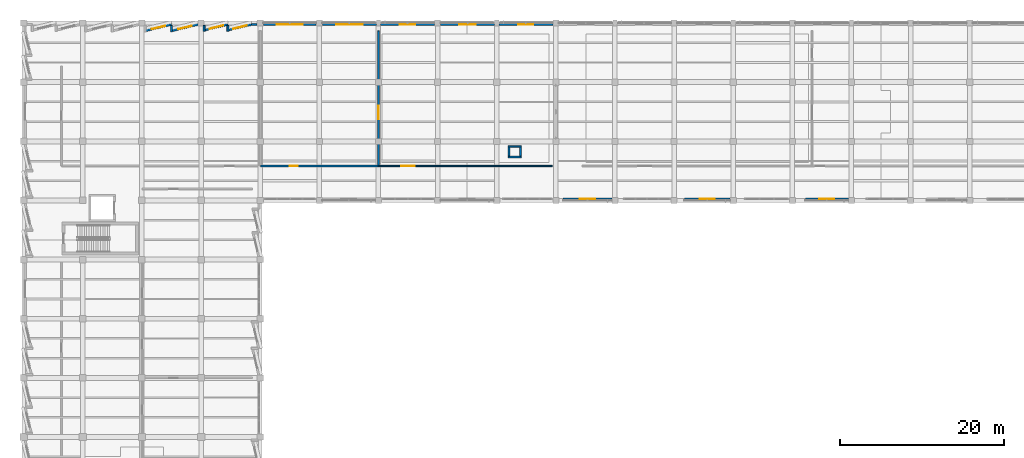
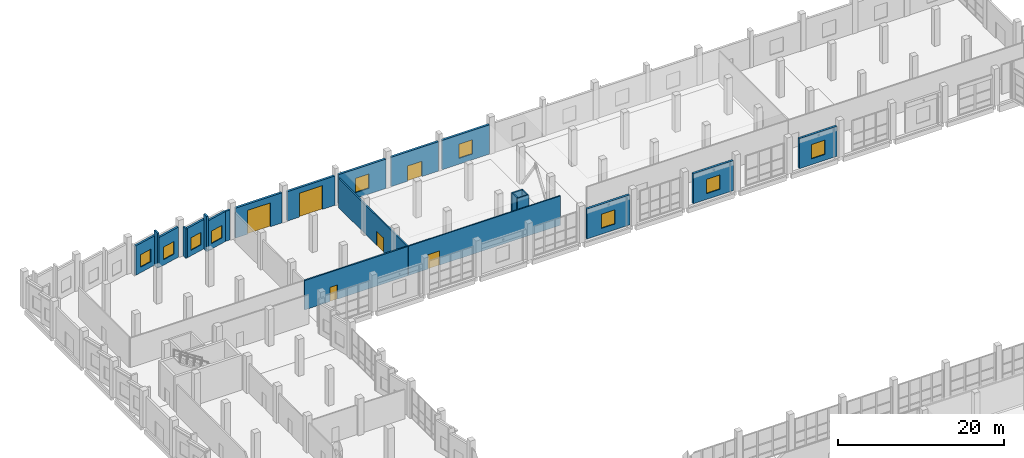
# One storey, part 109 of 137: 23 walls, 9 windows, 6 doors, 15 openings.
"""IFC4 building model written with IfcOpenShell, lengths in metres."""

import ifcopenshell
import ifcopenshell.guid

model = None  # the IFC model being written
_history = None  # IfcOwnerHistory: only IFC2X3 demands one
_inside = {}  # id of a spatial element -> (the spatial element, [elements in it])
_under = {}  # id of a project, library or spatial element -> (it, [spatial elements below it])
_declared = {}  # id of a project -> (the project, [libraries it declares])
_typed = {}  # id of a type object -> (the type object, [elements of that type])
_made_of = {}  # id of a material, layer set ... -> (it, [elements and type objects made of it])


def new_model(schema):
    """Start an empty IFC model of exactly this schema.

    Asked for "IFC4X3", IfcOpenShell would pick the latest addendum, in which some entities
    have other attributes; the version numbers below select the first issue.
    IFC2X3 requires an IfcOwnerHistory on every rooted entity: one is made here for all.
    """
    global model, _history
    if schema == "IFC4X3":
        model = ifcopenshell.file(schema_version=(4, 3, 0, 0))
    else:
        model = ifcopenshell.file(schema=schema)
    _inside.clear()
    _under.clear()
    _declared.clear()
    _typed.clear()
    _made_of.clear()
    _history = None
    if model.schema == "IFC2X3":
        org = make("IfcOrganization", Name="unknown")
        user = make(
            "IfcPersonAndOrganization",
            ThePerson=make("IfcPerson", FamilyName="unknown"),
            TheOrganization=org,
        )
        app = make(
            "IfcApplication",
            ApplicationDeveloper=org,
            Version="unknown",
            ApplicationFullName="unknown",
            ApplicationIdentifier="unknown",
        )
        _history = make(
            "IfcOwnerHistory",
            OwningUser=user,
            OwningApplication=app,
            ChangeAction="ADDED",
            CreationDate=0,
        )
    return model


def make(cls, **values):
    """One entity of the class cls with the attributes given. An attribute that is None is left unset."""
    return model.create_entity(
        cls, **{name: value for name, value in values.items() if value is not None}
    )


def rooted(cls, **values):
    """An entity with a GlobalId (a new one), such as an element, a storey or a relation."""
    return make(cls, GlobalId=ifcopenshell.guid.new(), OwnerHistory=_history, **values)


def si_unit(unit_type, name, prefix=None):
    """IfcSIUnit, for example si_unit("LENGTHUNIT", "METRE", prefix="MILLI")."""
    return make("IfcSIUnit", UnitType=unit_type, Prefix=prefix, Name=name)


def assignment(units):
    """IfcUnitAssignment: the units of a project."""
    return None if units is None else make("IfcUnitAssignment", Units=units)


def point(xyz):
    """IfcCartesianPoint."""
    return None if xyz is None else make("IfcCartesianPoint", Coordinates=xyz)


def direction(xyz):
    """IfcDirection."""
    return None if xyz is None else make("IfcDirection", DirectionRatios=xyz)


def frame(location, z_axis=None, x_axis=None):
    """IfcAxis2Placement3D, a coordinate frame: its origin and axes. An axis left out is left unset."""
    return make(
        "IfcAxis2Placement3D",
        Location=point(location),
        Axis=direction(z_axis),
        RefDirection=direction(x_axis),
    )


def frame_2d(location, x_axis=None):
    """IfcAxis2Placement2D, a coordinate frame in the plane: its origin and x axis."""
    return make(
        "IfcAxis2Placement2D", Location=point(location), RefDirection=direction(x_axis)
    )


def origin():
    """The frame at (0, 0, 0) with its axes left unset."""
    return frame((0.0, 0.0, 0.0))


def place(relative_to, where):
    """IfcLocalPlacement: puts the frame where relative to a parent placement (None: the world)."""
    return make(
        "IfcLocalPlacement", PlacementRelTo=relative_to, RelativePlacement=where
    )


def context(
    kind, dimensions, precision=None, world=None, true_north=None, identifier=None
):
    """IfcGeometricRepresentationContext, for example the 3D "Model" context."""
    return make(
        "IfcGeometricRepresentationContext",
        ContextIdentifier=identifier,
        ContextType=kind,
        CoordinateSpaceDimension=dimensions,
        Precision=precision,
        WorldCoordinateSystem=world,
        TrueNorth=true_north,
    )


def subcontext(parent, identifier, kind, view, scale=None):
    """IfcGeometricRepresentationSubContext, for example "Body" below "Model"."""
    return make(
        "IfcGeometricRepresentationSubContext",
        ContextIdentifier=identifier,
        ContextType=kind,
        ParentContext=parent,
        TargetScale=scale,
        TargetView=view,
    )


def project(units=None, contexts=None):
    """IfcProject with its units and contexts."""
    return rooted(
        "IfcProject",
        Name="project",
        RepresentationContexts=contexts,
        UnitsInContext=assignment(units),
    )


def spatial(cls, under=None, at=None, **own):
    """A site, building, storey or space (cls), placed at a placement, below another one or the project."""
    s = rooted(cls, ObjectPlacement=at, **own)
    if under is not None:
        _under.setdefault(under.id(), (under, []))[1].append(s)
    return s


def profile(cls, at=None, kind="AREA", **sizes):
    """A parametric profile (cls). Its sizes go by their IFC names, for example OverallWidth=200.0."""
    return make(cls, ProfileType=kind, Position=at, **sizes)


def rectangle(**sizes):
    """IfcRectangleProfileDef."""
    return profile("IfcRectangleProfileDef", **sizes)


def extrude(swept, where, along, depth):
    """IfcExtrudedAreaSolid: the profile swept, set in the frame where, extruded along a direction by depth."""
    return make(
        "IfcExtrudedAreaSolid",
        SweptArea=swept,
        Position=where,
        ExtrudedDirection=direction(along),
        Depth=depth,
    )


def shape(context_of_items, identifier, shape_type, items):
    """IfcShapeRepresentation: the items that make up one representation, for example the "Body"."""
    return make(
        "IfcShapeRepresentation",
        ContextOfItems=context_of_items,
        RepresentationIdentifier=identifier,
        RepresentationType=shape_type,
        Items=items,
    )


def material(Name=None, Category=None):
    """IfcMaterial."""
    return make("IfcMaterial", Name=Name, Category=Category)


def layer(
    of_material, thickness, ventilated=None, Name=None, Category=None, Priority=None
):
    """IfcMaterialLayer: one layer of a wall or slab, of a material (None: an air gap)."""
    return make(
        "IfcMaterialLayer",
        Material=of_material,
        LayerThickness=thickness,
        IsVentilated=ventilated,
        Name=Name,
        Category=Category,
        Priority=Priority,
    )


def layer_set(layers, Name=None):
    """IfcMaterialLayerSet."""
    return make("IfcMaterialLayerSet", MaterialLayers=layers, LayerSetName=Name)


def made_of(thing, what):
    """Note that an element or type object is made of a material, layer set ...; save() writes the relation."""
    if what is not None:
        _made_of.setdefault(what.id(), (what, []))[1].append(thing)
    return thing


def type_object(cls, material=None, **own):
    """A type object (cls), such as IfcWallType, which elements share."""
    return made_of(rooted(cls, **own), material)


def element(
    cls,
    number,
    at=None,
    inside=None,
    cuts=None,
    type_object=None,
    material=None,
    context=None,
    identifier="Body",
    shape_type=None,
    held_by="IfcProductDefinitionShape",
    body=None,
    shapes=None,
    **own,
):
    """One element of the class cls, such as IfcWall. Its Tag is "e" and its number.

    at: its placement. inside: the storey or other place that contains it. cuts: it is an
    opening in that element (IfcRelVoidsElement). A single representation is given by context,
    identifier, shape_type and body (its items); several are given by shapes. held_by: the class
    of the entity that holds the representations. save() writes the other relations.
    """
    e = rooted(cls, Tag="e%d" % number, ObjectPlacement=at, **own)
    if body is not None:
        shapes = [shape(context, identifier, shape_type, body)]
    if shapes is not None:
        e.Representation = make(held_by, Representations=shapes)
    if inside is not None:
        _inside.setdefault(inside.id(), (inside, []))[1].append(e)
    if cuts is not None:
        rooted(
            "IfcRelVoidsElement", RelatingBuildingElement=cuts, RelatedOpeningElement=e
        )
    if type_object is not None:
        _typed.setdefault(type_object.id(), (type_object, []))[1].append(e)
    return made_of(e, material)


def fill(opening, filler):
    """IfcRelFillsElement: the door or window that sits in an opening."""
    return rooted(
        "IfcRelFillsElement",
        RelatingOpeningElement=opening,
        RelatedBuildingElement=filler,
    )


def aggregate(whole, parts):
    """IfcRelAggregates: a whole, such as a stair, and the parts it consists of."""
    return rooted("IfcRelAggregates", RelatingObject=whole, RelatedObjects=parts)


def save(model, path):
    """Write the relations noted so far, then the file.

    IfcRelAggregates (storeys below a building ...), IfcRelContainedInSpatialStructure (elements
    in a storey), IfcRelDefinesByType, IfcRelAssociatesMaterial and IfcRelDeclares: one each for
    every whole, place, type object, material and project.
    """
    for whole, parts in _under.values():
        aggregate(whole, parts)
    for where, things in _inside.values():
        rooted(
            "IfcRelContainedInSpatialStructure",
            RelatedElements=things,
            RelatingStructure=where,
        )
    for kind, things in _typed.values():
        rooted("IfcRelDefinesByType", RelatedObjects=things, RelatingType=kind)
    for what, things in _made_of.values():
        rooted("IfcRelAssociatesMaterial", RelatedObjects=things, RelatingMaterial=what)
    for by, libraries in _declared.values():
        rooted("IfcRelDeclares", RelatingContext=by, RelatedDefinitions=libraries)
    model.write(path)


model = new_model("IFC4")

# Units and contexts
model_context = context("Model", 3, precision=1e-05, world=origin(), true_north=direction((0.0, 1.0)))
body_context = subcontext(model_context, "Body", "Model", "MODEL_VIEW")
ifc_project = project(units=[si_unit("LENGTHUNIT", "METRE"), si_unit("AREAUNIT", "SQUARE_METRE"), si_unit("VOLUMEUNIT", "CUBIC_METRE"), si_unit("PLANEANGLEUNIT", "RADIAN"), si_unit("MASSUNIT", "GRAM", prefix="KILO")], contexts=[model_context])

# Site, building, storey
site_placement = place(None, origin())
site = spatial("IfcSite", under=ifc_project, at=site_placement, CompositionType="ELEMENT")
building_placement = place(site_placement, origin())
building = spatial("IfcBuilding", under=site, at=building_placement, Name="Kalmorath City Hall", CompositionType="ELEMENT")
storey_placement = place(building_placement, origin())
storey = spatial("IfcBuildingStorey", under=building, at=storey_placement, Name="L00", CompositionType="ELEMENT", Elevation=0.0)

# Wall, opening, door
ifc_material_1 = material(Name="High-STC double-stud acoustic partition")
ifc_layer_1 = layer(ifc_material_1, 0.1650390625)
ifc_layer_set_1 = layer_set([ifc_layer_1], Name="High-STC double-stud acoustic partition")
wall_type_1 = type_object("IfcWallType", Name="Chamber and committee acoustic partition 165", PredefinedType="PARTITIONING", material=ifc_layer_set_1)
wall_1_placement = place(storey_placement, frame((43.239990234375, 97.800048828125, 0.0), z_axis=(0.0, 0.0, 1.0), x_axis=(1.0, 0.0, 0.0)))
wall_1 = element("IfcWall", 1, at=wall_1_placement, inside=storey, type_object=wall_type_1, Name="L00 interior partition PW3 #40", PredefinedType="PARTITIONING", context=body_context, shape_type="SweptSolid", body=[
    extrude(rectangle(XDim=21.1201171875, YDim=0.1650390625, at=frame_2d((10.56005859375, 0.0))), origin(), (0.0, 0.0, 1.0), 4.31103515625),
])
opening_1_placement = place(wall_1_placement, frame((2.7548828125, 0.0, 0.0)))
opening_1 = element("IfcOpeningElement", 2, at=opening_1_placement, cuts=wall_1, Name="Opening D-L00-148", PredefinedType="OPENING", context=body_context, shape_type="SweptSolid", body=[
    extrude(rectangle(XDim=1.60009765625, YDim=2.10009765625, at=frame_2d((0.800048828125, 1.050048828125))), frame((0.0, 0.092529296875, 0.0), z_axis=(0.0, -1.0, 0.0), x_axis=(1.0, 0.0, 0.0)), (0.0, 0.0, 1.0), 0.18505859375),
])
ifc_material_2 = material(Name="Acoustic hardwood fire door", Category="wood")
door_type_1 = type_object("IfcDoorType", Name="Committee double fire door 1600x2100", OperationType="DOUBLE_DOOR_SINGLE_SWING", PredefinedType="DOOR", material=ifc_material_2)
door_1_placement = place(opening_1_placement, origin())
door_1 = element("IfcDoor", 3, at=door_1_placement, inside=storey, type_object=door_type_1, Name="L00 door D-L00-148", OperationType="DOUBLE_DOOR_SINGLE_SWING", OverallHeight=2.10009765625, OverallWidth=1.60009765625, PredefinedType="DOOR", context=body_context, shape_type="SweptSolid", body=[
    extrude(rectangle(XDim=1.60009765625, YDim=2.10009765625, at=frame_2d((0.800048828125, 1.050048828125))), frame((0.0, 0.02490234375, 0.0), z_axis=(0.0, -1.0, 0.0), x_axis=(1.0, 0.0, 0.0)), (0.0, 0.0, 1.0), 0.050048828125),
])
fill(opening_1, door_1)

# Walls
ifc_material_3 = material(Name="Concrete C40/50", Category="concrete")
ifc_layer_2 = layer(ifc_material_3, 0.199951171875)
ifc_layer_set_2 = layer_set([ifc_layer_2], Name="Concrete C40/50")
wall_type_2 = type_object("IfcWallType", Name="Concrete service riser wall 200", PredefinedType="SOLIDWALL", material=ifc_layer_set_2)
for number, where, z_axis, x_axis, name in (
    (4, (59.0, 98.89990234375, 0.0), (0.0, 0.0, 1.0), (1.0, 0.0, 0.0), "L00 RSR-4 riser shaft wall S"),
    (5, (60.60009765625, 100.179931640625, 0.0), (0.0, 0.0, 1.0), (-1.0, 0.0, 0.0), "L00 RSR-4 riser shaft wall N"),
):
    element("IfcWall", number, at=place(storey_placement, frame(where, z_axis=z_axis, x_axis=x_axis)), inside=storey, type_object=wall_type_2, Name=name, PredefinedType="SOLIDWALL", context=body_context, shape_type="SweptSolid", body=[
        extrude(rectangle(XDim=1.60009765625, YDim=0.199951171875, at=frame_2d((0.800048828125, 0.0))), origin(), (0.0, 0.0, 1.0), 5.1201171875),
    ])
for number, where, z_axis, x_axis, name in (
    (6, (59.10009765625, 100.080078125, 0.0), (0.0, 0.0, 1.0), (0.0, -1.0, 0.0), "L00 RSR-4 riser shaft wall W"),
    (7, (60.5, 99.0, 0.0), (0.0, 0.0, 1.0), (0.0, 1.0, 0.0), "L00 RSR-4 riser shaft wall E"),
):
    element("IfcWall", number, at=place(storey_placement, frame(where, z_axis=z_axis, x_axis=x_axis)), inside=storey, type_object=wall_type_2, Name=name, PredefinedType="SOLIDWALL", context=body_context, shape_type="SweptSolid", body=[
        extrude(rectangle(XDim=1.080078125, YDim=0.199951171875, at=frame_2d((0.5400390625, 0.0))), origin(), (0.0, 0.0, 1.0), 5.1201171875),
    ])
ifc_material_4 = material(Name="Precast concrete C40/50", Category="concrete")
ifc_layer_3 = layer(ifc_material_4, 0.239990234375)
ifc_layer_set_3 = layer_set([ifc_layer_3], Name="Precast concrete C40/50")
wall_type_3 = type_object("IfcWallType", Name="Precast sawtooth cheek wall 240", PredefinedType="SOLIDWALL", material=ifc_layer_set_3)
wall_2_placement = place(storey_placement, frame((18.0, 114.12109375, 0.0), z_axis=(0.0, 0.0, 1.0), x_axis=(0.0, 1.0, 0.0)))
element("IfcWall", 8, at=wall_2_placement, inside=storey, type_object=wall_type_3, Name="L00 sawtooth return cheek #69", PredefinedType="SOLIDWALL", context=body_context, shape_type="SweptSolid", body=[
    extrude(rectangle(XDim=0.786865234375, YDim=0.239990234375, at=frame_2d((0.3935546875, 0.0))), origin(), (0.0, 0.0, 1.0), 5.1201171875),
])
wall_3_placement = place(storey_placement, frame((21.97607421875, 114.20263671875, 0.0), z_axis=(0.0, 0.0, 1.0), x_axis=(0.0, 1.0, 0.0)))
element("IfcWall", 9, at=wall_3_placement, inside=storey, type_object=wall_type_3, Name="L00 sawtooth return cheek #72", PredefinedType="SOLIDWALL", context=body_context, shape_type="SweptSolid", body=[
    extrude(rectangle(XDim=0.705322265625, YDim=0.239990234375, at=frame_2d((0.3525390625, 0.0))), origin(), (0.0, 0.0, 1.0), 4.31103515625),
])
wall_4_placement = place(storey_placement, frame((24.860107421875, 114.20263671875, 0.0), z_axis=(0.0, 0.0, 1.0), x_axis=(0.0, 1.0, 0.0)))
element("IfcWall", 10, at=wall_4_placement, inside=storey, type_object=wall_type_3, Name="L00 sawtooth return cheek #74", PredefinedType="SOLIDWALL", context=body_context, shape_type="SweptSolid", body=[
    extrude(rectangle(XDim=0.705322265625, YDim=0.239990234375, at=frame_2d((0.3525390625, 0.0))), origin(), (0.0, 0.0, 1.0), 5.1201171875),
])

# Wall, opening, window
ifc_material_5 = material(Name="Precast concrete C40/50", Category="concrete")
ifc_layer_4 = layer(ifc_material_5, 0.280029296875)
ifc_layer_set_4 = layer_set([ifc_layer_4], Name="Precast concrete C40/50")
wall_type_4 = type_object("IfcWallType", Name="Precast sawtooth facade wall 280", PredefinedType="SOLIDWALL", material=ifc_layer_set_4)
wall_5_placement = place(storey_placement, frame((14.868408203125, 114.2880859375, 0.0), z_axis=(0.0, 0.0, 1.0), x_axis=(0.972361148033, 0.233481900362, 0.0)))
wall_5 = element("IfcWall", 11, at=wall_5_placement, inside=storey, type_object=wall_type_4, Name="L00 sawtooth precast frame #66", PredefinedType="SOLIDWALL", context=body_context, shape_type="SweptSolid", body=[
    extrude(rectangle(XDim=3.220703125, YDim=0.280029296875, at=frame_2d((1.6103515625, 0.0))), origin(), (0.0, 0.0, 1.0), 4.31103515625),
])
opening_2_placement = place(wall_5_placement, frame((0.76025390625, 0.0, 0.800048828125)))
opening_2 = element("IfcOpeningElement", 12, at=opening_2_placement, cuts=wall_5, Name="Opening WN6", PredefinedType="OPENING", context=body_context, shape_type="SweptSolid", body=[
    extrude(rectangle(XDim=1.699951171875, YDim=1.85009765625, at=frame_2d((0.85009765625, 0.925048828125))), frame((0.0, 0.14990234375, 0.0), z_axis=(0.0, -1.0, 0.0), x_axis=(1.0, 0.0, 0.0)), (0.0, 0.0, 1.0), 0.300048828125),
])
ifc_material_6 = material(Name="Aluminium and laminated glass", Category="aluminium")
window_type_1 = type_object("IfcWindowType", Name="Sawtooth west wing window 1700x1850", PartitioningType="SINGLE_PANEL", PredefinedType="WINDOW", material=ifc_material_6)
window_1_placement = place(opening_2_placement, origin())
window_1 = element("IfcWindow", 13, at=window_1_placement, inside=storey, type_object=window_type_1, Name="L00 window WN6-29", OverallHeight=1.85009765625, OverallWidth=1.699951171875, PartitioningType="SINGLE_PANEL", PredefinedType="WINDOW", context=body_context, shape_type="SweptSolid", body=[
    extrude(rectangle(XDim=1.699951171875, YDim=1.85009765625, at=frame_2d((0.85009765625, 0.925048828125))), frame((0.0, 0.030029296875, 0.0), z_axis=(0.0, -1.0, 0.0), x_axis=(1.0, 0.0, 0.0)), (0.0, 0.0, 1.0), 0.06005859375),
])
fill(opening_2, window_1)

wall_6_placement = place(storey_placement, frame((18.09228515625, 114.2880859375, 0.0), z_axis=(0.0, 0.0, 1.0), x_axis=(0.972365280039, 0.233464691497, 0.0)))
wall_6 = element("IfcWall", 14, at=wall_6_placement, inside=storey, type_object=wall_type_4, Name="L00 sawtooth precast frame #68", PredefinedType="SOLIDWALL", context=body_context, shape_type="SweptSolid", body=[
    extrude(rectangle(XDim=3.220947265625, YDim=0.280029296875, at=frame_2d((1.6103515625, 0.0))), origin(), (0.0, 0.0, 1.0), 4.410888671875),
])
opening_3_placement = place(wall_6_placement, frame((0.76025390625, 0.0, 0.800048828125)))
opening_3 = element("IfcOpeningElement", 15, at=opening_3_placement, cuts=wall_6, Name="Opening WN6", PredefinedType="OPENING", context=body_context, shape_type="SweptSolid", body=[
    extrude(rectangle(XDim=1.699951171875, YDim=1.85009765625, at=frame_2d((0.85009765625, 0.925048828125))), frame((0.0, 0.14990234375, 0.0), z_axis=(0.0, -1.0, 0.0), x_axis=(1.0, 0.0, 0.0)), (0.0, 0.0, 1.0), 0.300048828125),
])
window_2_placement = place(opening_3_placement, origin())
window_2 = element("IfcWindow", 16, at=window_2_placement, inside=storey, type_object=window_type_1, Name="L00 window WN6-30", OverallHeight=1.85009765625, OverallWidth=1.699951171875, PartitioningType="SINGLE_PANEL", PredefinedType="WINDOW", context=body_context, shape_type="SweptSolid", body=[
    extrude(rectangle(XDim=1.699951171875, YDim=1.85009765625, at=frame_2d((0.85009765625, 0.925048828125))), frame((0.0, 0.030029296875, 0.0), z_axis=(0.0, -1.0, 0.0), x_axis=(1.0, 0.0, 0.0)), (0.0, 0.0, 1.0), 0.06005859375),
])
fill(opening_3, window_2)

wall_7_placement = place(storey_placement, frame((22.068359375, 114.369873046875, 0.0), z_axis=(0.0, 0.0, 1.0), x_axis=(0.972375722639, 0.233421194459, 0.0)))
wall_7 = element("IfcWall", 17, at=wall_7_placement, inside=storey, type_object=wall_type_4, Name="L00 sawtooth precast frame #71", PredefinedType="SOLIDWALL", context=body_context, shape_type="SweptSolid", body=[
    extrude(rectangle(XDim=2.87109375, YDim=0.280029296875, at=frame_2d((1.435546875, 0.0))), origin(), (0.0, 0.0, 1.0), 4.31103515625),
])
opening_4_placement = place(wall_7_placement, frame((0.58544921875, 0.0, 0.800048828125)))
opening_4 = element("IfcOpeningElement", 18, at=opening_4_placement, cuts=wall_7, Name="Opening WN6", PredefinedType="OPENING", context=body_context, shape_type="SweptSolid", body=[
    extrude(rectangle(XDim=1.699951171875, YDim=1.85009765625, at=frame_2d((0.85009765625, 0.925048828125))), frame((0.0, 0.14990234375, 0.0), z_axis=(0.0, -1.0, 0.0), x_axis=(1.0, 0.0, 0.0)), (0.0, 0.0, 1.0), 0.300048828125),
])
window_3_placement = place(opening_4_placement, origin())
window_3 = element("IfcWindow", 19, at=window_3_placement, inside=storey, type_object=window_type_1, Name="L00 window WN6-31", OverallHeight=1.85009765625, OverallWidth=1.699951171875, PartitioningType="SINGLE_PANEL", PredefinedType="WINDOW", context=body_context, shape_type="SweptSolid", body=[
    extrude(rectangle(XDim=1.699951171875, YDim=1.85009765625, at=frame_2d((0.85009765625, 0.925048828125))), frame((0.0, 0.030029296875, 0.0), z_axis=(0.0, -1.0, 0.0), x_axis=(1.0, 0.0, 0.0)), (0.0, 0.0, 1.0), 0.06005859375),
])
fill(opening_4, window_3)

wall_8_placement = place(storey_placement, frame((24.952392578125, 114.369873046875, 0.0), z_axis=(0.0, 0.0, 1.0), x_axis=(0.972371088891, 0.233440496677, 0.0)))
wall_8 = element("IfcWall", 20, at=wall_8_placement, inside=storey, type_object=wall_type_4, Name="L00 sawtooth precast frame #73", PredefinedType="SOLIDWALL", context=body_context, shape_type="SweptSolid", body=[
    extrude(rectangle(XDim=2.870849609375, YDim=0.280029296875, at=frame_2d((1.435546875, 0.0))), origin(), (0.0, 0.0, 1.0), 4.410888671875),
])
opening_5_placement = place(wall_8_placement, frame((0.58544921875, 0.0, 0.800048828125)))
opening_5 = element("IfcOpeningElement", 21, at=opening_5_placement, cuts=wall_8, Name="Opening WN6", PredefinedType="OPENING", context=body_context, shape_type="SweptSolid", body=[
    extrude(rectangle(XDim=1.699951171875, YDim=1.85009765625, at=frame_2d((0.85009765625, 0.925048828125))), frame((0.0, 0.14990234375, 0.0), z_axis=(0.0, -1.0, 0.0), x_axis=(1.0, 0.0, 0.0)), (0.0, 0.0, 1.0), 0.300048828125),
])
window_4_placement = place(opening_5_placement, origin())
window_4 = element("IfcWindow", 22, at=window_4_placement, inside=storey, type_object=window_type_1, Name="L00 window WN6-32", OverallHeight=1.85009765625, OverallWidth=1.699951171875, PartitioningType="SINGLE_PANEL", PredefinedType="WINDOW", context=body_context, shape_type="SweptSolid", body=[
    extrude(rectangle(XDim=1.699951171875, YDim=1.85009765625, at=frame_2d((0.85009765625, 0.925048828125))), frame((0.0, 0.030029296875, 0.0), z_axis=(0.0, -1.0, 0.0), x_axis=(1.0, 0.0, 0.0)), (0.0, 0.0, 1.0), 0.06005859375),
])
fill(opening_5, window_4)

# Wall
ifc_material_7 = material(Name="Precast concrete C40/50", Category="concrete")
ifc_layer_5 = layer(ifc_material_7, 0.260009765625)
ifc_layer_set_5 = layer_set([ifc_layer_5], Name="Precast concrete C40/50")
wall_type_5 = type_object("IfcWallType", Name="Precast sawtooth return wall 260", PredefinedType="SOLIDWALL", material=ifc_layer_set_5)
wall_9_placement = place(storey_placement, frame((27.743896484375, 115.0400390625, 0.0), z_axis=(0.0, 0.0, 1.0), x_axis=(1.0, 0.0, 0.0)))
element("IfcWall", 23, at=wall_9_placement, inside=storey, type_object=wall_type_5, Name="L00 corner pier wall #70", PredefinedType="SOLIDWALL", context=body_context, shape_type="SweptSolid", body=[
    extrude(rectangle(XDim=0.68017578125, YDim=0.260009765625, at=frame_2d((0.340087890625, 0.0))), origin(), (0.0, 0.0, 1.0), 4.410888671875),
])

# Wall, opening, door
ifc_material_8 = material(Name="Gypsum fire-rated shaftliner partition")
ifc_layer_6 = layer(ifc_material_8, 0.199951171875)
ifc_layer_set_6 = layer_set([ifc_layer_6], Name="Gypsum fire-rated shaftliner partition")
wall_type_6 = type_object("IfcWallType", Name="Two-hour fire barrier partition 200", PredefinedType="PARTITIONING", material=ifc_layer_set_6)
wall_10_placement = place(storey_placement, frame((28.840087890625, 97.800048828125, 0.0), z_axis=(0.0, 0.0, 1.0), x_axis=(1.0, 0.0, 0.0)))
wall_10 = element("IfcWall", 24, at=wall_10_placement, inside=storey, type_object=wall_type_6, Name="L00 interior partition PW1 #39", PredefinedType="PARTITIONING", context=body_context, shape_type="SweptSolid", body=[
    extrude(rectangle(XDim=14.31982421875, YDim=0.199951171875, at=frame_2d((7.159912109375, 0.0))), origin(), (0.0, 0.0, 1.0), 4.31103515625),
])
opening_6_placement = place(wall_10_placement, frame((3.5400390625, 0.0, 0.0)))
opening_6 = element("IfcOpeningElement", 25, at=opening_6_placement, cuts=wall_10, Name="Opening D-L00-147", PredefinedType="OPENING", context=body_context, shape_type="SweptSolid", body=[
    extrude(rectangle(XDim=1.0, YDim=2.10009765625, at=frame_2d((0.5, 1.050048828125))), frame((0.0, 0.10986328125, 0.0), z_axis=(0.0, -1.0, 0.0), x_axis=(1.0, 0.0, 0.0)), (0.0, 0.0, 1.0), 0.219970703125),
])
ifc_material_9 = material(Name="Hardwood fire door", Category="wood")
door_type_2 = type_object("IfcDoorType", Name="Corridor 60-min fire door 1000x2100", OperationType="NOTDEFINED", PredefinedType="DOOR", material=ifc_material_9)
door_2_placement = place(opening_6_placement, origin())
door_2 = element("IfcDoor", 26, at=door_2_placement, inside=storey, type_object=door_type_2, Name="L00 door D-L00-147", OperationType="SINGLE_SWING_LEFT", OverallHeight=2.10009765625, OverallWidth=1.0, PredefinedType="DOOR", context=body_context, shape_type="SweptSolid", body=[
    extrude(rectangle(XDim=1.0, YDim=2.10009765625, at=frame_2d((0.5, 1.050048828125))), frame((0.0, 0.02490234375, 0.0), z_axis=(0.0, -1.0, 0.0), x_axis=(1.0, 0.0, 0.0)), (0.0, 0.0, 1.0), 0.050048828125),
])
fill(opening_6, door_2)

wall_11_placement = place(storey_placement, frame((43.199951171875, 97.840087890625, 0.0), z_axis=(0.0, 0.0, 1.0), x_axis=(0.0, 1.0, 0.0)))
wall_11 = element("IfcWall", 27, at=wall_11_placement, inside=storey, type_object=wall_type_6, Name="L00 interior partition PW1 #59", PredefinedType="PARTITIONING", context=body_context, shape_type="SweptSolid", body=[
    extrude(rectangle(XDim=16.419921875, YDim=0.199951171875, at=frame_2d((8.2099609375, 0.0))), origin(), (0.0, 0.0, 1.0), 4.31103515625),
])
opening_7_placement = place(wall_11_placement, frame((5.66259765625, 0.0, 0.0)))
opening_7 = element("IfcOpeningElement", 28, at=opening_7_placement, cuts=wall_11, Name="Opening D-L00-149", PredefinedType="OPENING", context=body_context, shape_type="SweptSolid", body=[
    extrude(rectangle(XDim=1.60009765625, YDim=2.10009765625, at=frame_2d((0.800048828125, 1.050048828125))), frame((0.0, 0.10986328125, 0.0), z_axis=(0.0, -1.0, 0.0), x_axis=(1.0, 0.0, 0.0)), (0.0, 0.0, 1.0), 0.219970703125),
])
door_3_placement = place(opening_7_placement, origin())
door_3 = element("IfcDoor", 29, at=door_3_placement, inside=storey, type_object=door_type_1, Name="L00 door D-L00-149", OperationType="DOUBLE_DOOR_SINGLE_SWING", OverallHeight=2.10009765625, OverallWidth=1.60009765625, PredefinedType="DOOR", context=body_context, shape_type="SweptSolid", body=[
    extrude(rectangle(XDim=1.60009765625, YDim=2.10009765625, at=frame_2d((0.800048828125, 1.050048828125))), frame((0.0, 0.02490234375, 0.0), z_axis=(0.0, -1.0, 0.0), x_axis=(1.0, 0.0, 0.0)), (0.0, 0.0, 1.0), 0.050048828125),
])
fill(opening_7, door_3)

ifc_material_10 = material(Name="Concrete C40/50", Category="concrete")
ifc_layer_7 = layer(ifc_material_10, 0.300048828125)
ifc_layer_set_7 = layer_set([ifc_layer_7], Name="Concrete C40/50")
wall_type_7 = type_object("IfcWallType", Name="Volcanic basalt backup wall 300", PredefinedType="SOLIDWALL", material=ifc_layer_set_7)
wall_12_placement = place(storey_placement, frame((29.176025390625, 115.0400390625, 0.0), z_axis=(0.0, 0.0, 1.0), x_axis=(1.0, 0.0, 0.0)))
wall_12 = element("IfcWall", 30, at=wall_12_placement, inside=storey, type_object=wall_type_7, Name="L00 basalt wing wall #75", PredefinedType="SOLIDWALL", context=body_context, shape_type="SweptSolid", body=[
    extrude(rectangle(XDim=6.447998046875, YDim=0.300048828125, at=frame_2d((3.22412109375, 0.0))), origin(), (0.0, 0.0, 1.0), 4.410888671875),
])
opening_8_placement = place(wall_12_placement, frame((1.6240234375, 0.0, 0.0)))
opening_8 = element("IfcOpeningElement", 31, at=opening_8_placement, cuts=wall_12, Name="Opening D-E005", PredefinedType="OPENING", context=body_context, shape_type="SweptSolid", body=[
    extrude(rectangle(XDim=3.199951171875, YDim=3.5, at=frame_2d((1.60009765625, 1.75))), frame((0.0, 0.159912109375, 0.0), z_axis=(0.0, -1.0, 0.0), x_axis=(1.0, 0.0, 0.0)), (0.0, 0.0, 1.0), 0.320068359375),
])
ifc_material_11 = material(Name="Galvanised steel slat shutter", Category="steel")
door_type_3 = type_object("IfcDoorType", Name="Loading dock insulated roller shutter 3200x3500", OperationType="ROLLINGUP", PredefinedType="DOOR", material=ifc_material_11)
door_4_placement = place(opening_8_placement, origin())
door_4 = element("IfcDoor", 32, at=door_4_placement, inside=storey, type_object=door_type_3, Name="L00 exterior door D-E005", OperationType="ROLLINGUP", OverallHeight=3.5, OverallWidth=3.199951171875, PredefinedType="DOOR", context=body_context, shape_type="SweptSolid", body=[
    extrude(rectangle(XDim=3.199951171875, YDim=3.5, at=frame_2d((1.60009765625, 1.75))), frame((0.0, 0.02490234375, 0.0), z_axis=(0.0, -1.0, 0.0), x_axis=(1.0, 0.0, 0.0)), (0.0, 0.0, 1.0), 0.050048828125),
])
fill(opening_8, door_4)

wall_13_placement = place(storey_placement, frame((36.3759765625, 115.0400390625, 0.0), z_axis=(0.0, 0.0, 1.0), x_axis=(1.0, 0.0, 0.0)))
wall_13 = element("IfcWall", 33, at=wall_13_placement, inside=storey, type_object=wall_type_7, Name="L00 basalt wing wall #76", PredefinedType="SOLIDWALL", context=body_context, shape_type="SweptSolid", body=[
    extrude(rectangle(XDim=6.572998046875, YDim=0.300048828125, at=frame_2d((3.28662109375, 0.0))), origin(), (0.0, 0.0, 1.0), 4.31103515625),
])
opening_9_placement = place(wall_13_placement, frame((1.6865234375, 0.0, 0.0)))
opening_9 = element("IfcOpeningElement", 34, at=opening_9_placement, cuts=wall_13, Name="Opening D-E006", PredefinedType="OPENING", context=body_context, shape_type="SweptSolid", body=[
    extrude(rectangle(XDim=3.199951171875, YDim=3.5, at=frame_2d((1.60009765625, 1.75))), frame((0.0, 0.159912109375, 0.0), z_axis=(0.0, -1.0, 0.0), x_axis=(1.0, 0.0, 0.0)), (0.0, 0.0, 1.0), 0.320068359375),
])
door_5_placement = place(opening_9_placement, origin())
door_5 = element("IfcDoor", 35, at=door_5_placement, inside=storey, type_object=door_type_3, Name="L00 exterior door D-E006", OperationType="ROLLINGUP", OverallHeight=3.5, OverallWidth=3.199951171875, PredefinedType="DOOR", context=body_context, shape_type="SweptSolid", body=[
    extrude(rectangle(XDim=3.199951171875, YDim=3.5, at=frame_2d((1.60009765625, 1.75))), frame((0.0, 0.02490234375, 0.0), z_axis=(0.0, -1.0, 0.0), x_axis=(1.0, 0.0, 0.0)), (0.0, 0.0, 1.0), 0.050048828125),
])
fill(opening_9, door_5)

# Wall, opening, window
wall_14_placement = place(storey_placement, frame((43.450927734375, 115.0400390625, 0.0), z_axis=(0.0, 0.0, 1.0), x_axis=(1.0, 0.0, 0.0)))
wall_14 = element("IfcWall", 36, at=wall_14_placement, inside=storey, type_object=wall_type_7, Name="L00 basalt wing wall #77", PredefinedType="SOLIDWALL", context=body_context, shape_type="SweptSolid", body=[
    extrude(rectangle(XDim=6.572998046875, YDim=0.300048828125, at=frame_2d((3.28662109375, 0.0))), origin(), (0.0, 0.0, 1.0), 4.31103515625),
])
opening_10_placement = place(wall_14_placement, frame((2.361572265625, 0.0, 0.85009765625)))
opening_10 = element("IfcOpeningElement", 37, at=opening_10_placement, cuts=wall_14, Name="Opening WN8", PredefinedType="OPENING", context=body_context, shape_type="SweptSolid", body=[
    extrude(rectangle(XDim=1.85009765625, YDim=2.10009765625, at=frame_2d((0.925048828125, 1.050048828125))), frame((0.0, 0.159912109375, 0.0), z_axis=(0.0, -1.0, 0.0), x_axis=(1.0, 0.0, 0.0)), (0.0, 0.0, 1.0), 0.320068359375),
])
ifc_material_12 = material(Name="Bronze-anodised aluminium and glass", Category="aluminium")
window_type_2 = type_object("IfcWindowType", Name="Basalt deep-reveal window 1850x2100", PartitioningType="SINGLE_PANEL", PredefinedType="WINDOW", material=ifc_material_12)
window_5_placement = place(opening_10_placement, origin())
window_5 = element("IfcWindow", 38, at=window_5_placement, inside=storey, type_object=window_type_2, Name="L00 window WN8-33", OverallHeight=2.10009765625, OverallWidth=1.85009765625, PartitioningType="SINGLE_PANEL", PredefinedType="WINDOW", context=body_context, shape_type="SweptSolid", body=[
    extrude(rectangle(XDim=1.85009765625, YDim=2.10009765625, at=frame_2d((0.925048828125, 1.050048828125))), frame((0.0, 0.030029296875, 0.0), z_axis=(0.0, -1.0, 0.0), x_axis=(1.0, 0.0, 0.0)), (0.0, 0.0, 1.0), 0.06005859375),
])
fill(opening_10, window_5)

# Wall, opening, door
wall_15_placement = place(storey_placement, frame((50.77587890625, 115.0400390625, 0.0), z_axis=(0.0, 0.0, 1.0), x_axis=(1.0, 0.0, 0.0)))
wall_15 = element("IfcWall", 39, at=wall_15_placement, inside=storey, type_object=wall_type_7, Name="L00 basalt wing wall #78", PredefinedType="SOLIDWALL", context=body_context, shape_type="SweptSolid", body=[
    extrude(rectangle(XDim=6.5732421875, YDim=0.300048828125, at=frame_2d((3.28662109375, 0.0))), origin(), (0.0, 0.0, 1.0), 4.31103515625),
])
opening_11_placement = place(wall_15_placement, frame((2.28662109375, 0.0, 0.0)))
opening_11 = element("IfcOpeningElement", 40, at=opening_11_placement, cuts=wall_15, Name="Opening D-E007", PredefinedType="OPENING", context=body_context, shape_type="SweptSolid", body=[
    extrude(rectangle(XDim=2.0, YDim=2.25, at=frame_2d((1.0, 1.125))), frame((0.0, 0.159912109375, 0.0), z_axis=(0.0, -1.0, 0.0), x_axis=(1.0, 0.0, 0.0)), (0.0, 0.0, 1.0), 0.320068359375),
])
ifc_material_13 = material(Name="Galvanised steel and impact glass", Category="steel")
door_type_4 = type_object("IfcDoorType", Name="Hurricane exit discharge double door 2000x2250", OperationType="DOUBLE_DOOR_SINGLE_SWING", PredefinedType="DOOR", material=ifc_material_13)
door_6_placement = place(opening_11_placement, origin())
door_6 = element("IfcDoor", 41, at=door_6_placement, inside=storey, type_object=door_type_4, Name="L00 exterior door D-E007", OperationType="DOUBLE_DOOR_SINGLE_SWING", OverallHeight=2.25, OverallWidth=2.0, PredefinedType="DOOR", context=body_context, shape_type="SweptSolid", body=[
    extrude(rectangle(XDim=2.0, YDim=2.25, at=frame_2d((1.0, 1.125))), frame((0.0, 0.02490234375, 0.0), z_axis=(0.0, -1.0, 0.0), x_axis=(1.0, 0.0, 0.0)), (0.0, 0.0, 1.0), 0.050048828125),
])
fill(opening_11, door_6)

# Wall, opening, window
wall_16_placement = place(storey_placement, frame((57.85107421875, 115.0400390625, 0.0), z_axis=(0.0, 0.0, 1.0), x_axis=(1.0, 0.0, 0.0)))
wall_16 = element("IfcWall", 42, at=wall_16_placement, inside=storey, type_object=wall_type_7, Name="L00 basalt wing wall #79", PredefinedType="SOLIDWALL", context=body_context, shape_type="SweptSolid", body=[
    extrude(rectangle(XDim=6.572998046875, YDim=0.300048828125, at=frame_2d((3.28662109375, 0.0))), origin(), (0.0, 0.0, 1.0), 4.31103515625),
])
opening_12_placement = place(wall_16_placement, frame((2.361572265625, 0.0, 0.85009765625)))
opening_12 = element("IfcOpeningElement", 43, at=opening_12_placement, cuts=wall_16, Name="Opening WN8", PredefinedType="OPENING", context=body_context, shape_type="SweptSolid", body=[
    extrude(rectangle(XDim=1.85009765625, YDim=2.10009765625, at=frame_2d((0.925048828125, 1.050048828125))), frame((0.0, 0.159912109375, 0.0), z_axis=(0.0, -1.0, 0.0), x_axis=(1.0, 0.0, 0.0)), (0.0, 0.0, 1.0), 0.320068359375),
])
window_6_placement = place(opening_12_placement, origin())
window_6 = element("IfcWindow", 44, at=window_6_placement, inside=storey, type_object=window_type_2, Name="L00 window WN8-34", OverallHeight=2.10009765625, OverallWidth=1.85009765625, PartitioningType="SINGLE_PANEL", PredefinedType="WINDOW", context=body_context, shape_type="SweptSolid", body=[
    extrude(rectangle(XDim=1.85009765625, YDim=2.10009765625, at=frame_2d((0.925048828125, 1.050048828125))), frame((0.0, 0.030029296875, 0.0), z_axis=(0.0, -1.0, 0.0), x_axis=(1.0, 0.0, 0.0)), (0.0, 0.0, 1.0), 0.06005859375),
])
fill(opening_12, window_6)

wall_17_placement = place(storey_placement, frame((100.424072265625, 93.760009765625, 0.0), z_axis=(0.0, 0.0, 1.0), x_axis=(-1.0, 0.0, 0.0)))
wall_17 = element("IfcWall", 45, at=wall_17_placement, inside=storey, type_object=wall_type_7, Name="L00 basalt wing wall #137", PredefinedType="SOLIDWALL", context=body_context, shape_type="SweptSolid", body=[
    extrude(rectangle(XDim=5.232177734375, YDim=0.300048828125, at=frame_2d((2.6162109375, 0.0))), origin(), (0.0, 0.0, 1.0), 4.410888671875),
])
opening_13_placement = place(wall_17_placement, frame((1.69091796875, 0.0, 0.85009765625)))
opening_13 = element("IfcOpeningElement", 46, at=opening_13_placement, cuts=wall_17, Name="Opening WN8", PredefinedType="OPENING", context=body_context, shape_type="SweptSolid", body=[
    extrude(rectangle(XDim=1.85009765625, YDim=2.10009765625, at=frame_2d((0.925048828125, 1.050048828125))), frame((0.0, 0.159912109375, 0.0), z_axis=(0.0, -1.0, 0.0), x_axis=(1.0, 0.0, 0.0)), (0.0, 0.0, 1.0), 0.320068359375),
])
window_7_placement = place(opening_13_placement, origin())
window_7 = element("IfcWindow", 47, at=window_7_placement, inside=storey, type_object=window_type_2, Name="L00 window WN8-62", OverallHeight=2.10009765625, OverallWidth=1.85009765625, PartitioningType="SINGLE_PANEL", PredefinedType="WINDOW", context=body_context, shape_type="SweptSolid", body=[
    extrude(rectangle(XDim=1.85009765625, YDim=2.10009765625, at=frame_2d((0.925048828125, 1.050048828125))), frame((0.0, 0.030029296875, 0.0), z_axis=(0.0, -1.0, 0.0), x_axis=(1.0, 0.0, 0.0)), (0.0, 0.0, 1.0), 0.06005859375),
])
fill(opening_13, window_7)

wall_18_placement = place(storey_placement, frame((86.02392578125, 93.760009765625, 0.0), z_axis=(0.0, 0.0, 1.0), x_axis=(-1.0, 0.0, 0.0)))
wall_18 = element("IfcWall", 48, at=wall_18_placement, inside=storey, type_object=wall_type_7, Name="L00 basalt wing wall #138", PredefinedType="SOLIDWALL", context=body_context, shape_type="SweptSolid", body=[
    extrude(rectangle(XDim=5.585693359375, YDim=0.300048828125, at=frame_2d((2.79296875, 0.0))), origin(), (0.0, 0.0, 1.0), 4.410888671875),
])
opening_14_placement = place(wall_18_placement, frame((1.867919921875, 0.0, 0.85009765625)))
opening_14 = element("IfcOpeningElement", 49, at=opening_14_placement, cuts=wall_18, Name="Opening WN8", PredefinedType="OPENING", context=body_context, shape_type="SweptSolid", body=[
    extrude(rectangle(XDim=1.85009765625, YDim=2.10009765625, at=frame_2d((0.925048828125, 1.050048828125))), frame((0.0, 0.159912109375, 0.0), z_axis=(0.0, -1.0, 0.0), x_axis=(1.0, 0.0, 0.0)), (0.0, 0.0, 1.0), 0.320068359375),
])
window_8_placement = place(opening_14_placement, origin())
window_8 = element("IfcWindow", 50, at=window_8_placement, inside=storey, type_object=window_type_2, Name="L00 window WN8-63", OverallHeight=2.10009765625, OverallWidth=1.85009765625, PartitioningType="SINGLE_PANEL", PredefinedType="WINDOW", context=body_context, shape_type="SweptSolid", body=[
    extrude(rectangle(XDim=1.85009765625, YDim=2.10009765625, at=frame_2d((0.925048828125, 1.050048828125))), frame((0.0, 0.030029296875, 0.0), z_axis=(0.0, -1.0, 0.0), x_axis=(1.0, 0.0, 0.0)), (0.0, 0.0, 1.0), 0.06005859375),
])
fill(opening_14, window_8)

wall_19_placement = place(storey_placement, frame((71.6240234375, 93.760009765625, 0.0), z_axis=(0.0, 0.0, 1.0), x_axis=(-1.0, 0.0, 0.0)))
wall_19 = element("IfcWall", 51, at=wall_19_placement, inside=storey, type_object=wall_type_7, Name="L00 basalt wing wall #139", PredefinedType="SOLIDWALL", context=body_context, shape_type="SweptSolid", body=[
    extrude(rectangle(XDim=5.939453125, YDim=0.300048828125, at=frame_2d((2.9697265625, 0.0))), origin(), (0.0, 0.0, 1.0), 4.410888671875),
])
opening_15_placement = place(wall_19_placement, frame((2.044921875, 0.0, 0.85009765625)))
opening_15 = element("IfcOpeningElement", 52, at=opening_15_placement, cuts=wall_19, Name="Opening WN8", PredefinedType="OPENING", context=body_context, shape_type="SweptSolid", body=[
    extrude(rectangle(XDim=1.85009765625, YDim=2.10009765625, at=frame_2d((0.925048828125, 1.050048828125))), frame((0.0, 0.159912109375, 0.0), z_axis=(0.0, -1.0, 0.0), x_axis=(1.0, 0.0, 0.0)), (0.0, 0.0, 1.0), 0.320068359375),
])
window_9_placement = place(opening_15_placement, origin())
window_9 = element("IfcWindow", 53, at=window_9_placement, inside=storey, type_object=window_type_2, Name="L00 window WN8-64", OverallHeight=2.10009765625, OverallWidth=1.85009765625, PartitioningType="SINGLE_PANEL", PredefinedType="WINDOW", context=body_context, shape_type="SweptSolid", body=[
    extrude(rectangle(XDim=1.85009765625, YDim=2.10009765625, at=frame_2d((0.925048828125, 1.050048828125))), frame((0.0, 0.030029296875, 0.0), z_axis=(0.0, -1.0, 0.0), x_axis=(1.0, 0.0, 0.0)), (0.0, 0.0, 1.0), 0.06005859375),
])
fill(opening_15, window_9)

save(model, "model.ifc")
